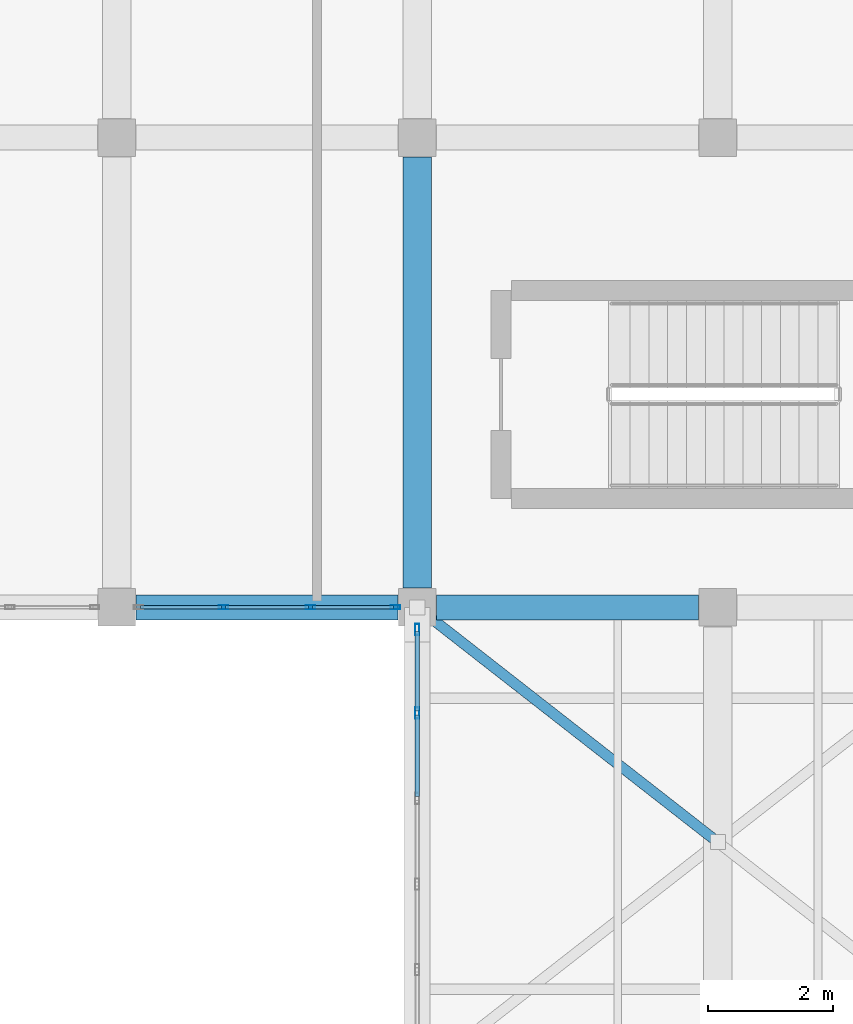
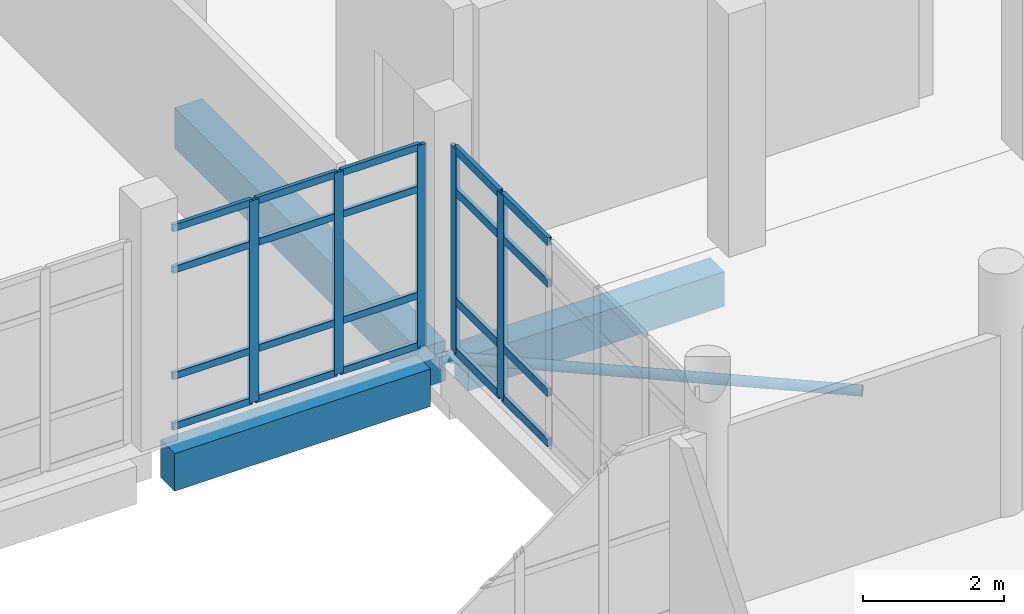
# One storey, part 90 of 164: 26 members, 3 beams, 2 elements without a shape of their own.
"""IFC4 building model written with IfcOpenShell, lengths in metres."""

from ifc_helpers import new_model, si_unit, direction, frame, origin, origin_2d, place, context, subcontext, project, spatial, rectangle, hollow_rectangle, hollow_circle, extrude, material, layer, layer_set, material_profile, profile_set, type_object, element, aggregate, save


model = new_model("IFC4")

# Units and contexts
model_context = context("Model", 3, precision=1e-05, world=origin(), true_north=direction((0.0, 1.0)))
body_context = subcontext(model_context, "Body", "Model", "MODEL_VIEW")
ifc_project = project(units=[si_unit("LENGTHUNIT", "METRE"), si_unit("AREAUNIT", "SQUARE_METRE"), si_unit("VOLUMEUNIT", "CUBIC_METRE"), si_unit("PLANEANGLEUNIT", "RADIAN"), si_unit("MASSUNIT", "GRAM", prefix="KILO")], contexts=[model_context])

# Site, building, storey
site_placement = place(None, origin())
site = spatial("IfcSite", under=ifc_project, at=site_placement, CompositionType="ELEMENT")
building_placement = place(site_placement, origin())
building = spatial("IfcBuilding", under=site, at=building_placement, Name="Mawjan Specialist Oncology Clinic", CompositionType="ELEMENT")
storey_placement = place(building_placement, frame((0.0, 0.0, 5.0)))
storey = spatial("IfcBuildingStorey", under=building, at=storey_placement, Name="L01", CompositionType="ELEMENT", Elevation=5.0)

# Beams
ifc_material_1 = material(Name="Concrete C40/50", Category="concrete")
ifc_material_profile_1 = material_profile(ifc_material_1, rectangle(XDim=0.39990234375, YDim=0.60009765625, at=origin_2d()), Name="RC BM 400x600", Category="concrete")
ifc_profile_set_1 = profile_set([ifc_material_profile_1], Name="Concrete C40/50")
beam_type_1 = type_object("IfcBeamType", Name="BM-400x600", PredefinedType="BEAM", material=ifc_profile_set_1)
beam_1_placement = place(storey_placement, frame((84.31005859375, 83.300048828125, -0.60009765625), z_axis=(1.0, 0.0, 0.0), x_axis=(0.0, 1.0, 0.0)))
element("IfcBeam", 1, at=beam_1_placement, inside=storey, type_object=beam_type_1, Name="L01 Collector Beam BM-L01-0348", PredefinedType="BEAM", context=body_context, shape_type="SweptSolid", body=[
    extrude(rectangle(XDim=0.39990234375, YDim=0.60009765625, at=origin_2d()), origin(), (0.0, 0.0, 1.0), 4.179931640625),
])
ifc_material_2 = material(Name="Concrete C40/50", Category="concrete")
ifc_material_profile_2 = material_profile(ifc_material_2, rectangle(XDim=0.449951171875, YDim=0.699951171875, at=origin_2d()), Name="RC BM 450x700", Category="concrete")
ifc_profile_set_2 = profile_set([ifc_material_profile_2], Name="Concrete C40/50")
beam_type_2 = type_object("IfcBeamType", Name="BM-450x700", PredefinedType="BEAM", material=ifc_profile_set_2)
beam_2_placement = place(storey_placement, frame((84.0, 83.610107421875, -0.64990234375), z_axis=(0.0, 1.0, 0.0), x_axis=(-1.0, 0.0, 0.0)))
element("IfcBeam", 2, at=beam_2_placement, inside=storey, type_object=beam_type_2, Name="L01 Collector Beam BM-L01-0523", PredefinedType="BEAM", context=body_context, shape_type="SweptSolid", body=[
    extrude(rectangle(XDim=0.449951171875, YDim=0.699951171875, at=origin_2d()), origin(), (0.0, 0.0, 1.0), 6.8798828125),
])

# Member
ifc_material_3 = material(Name="Structural steel S355", Category="steel")
ifc_material_profile_3 = material_profile(ifc_material_3, hollow_circle(Radius=0.084228515625, WallThickness=0.008056640625, at=origin_2d()), Name="CHS 168.3x8", Category="steel")
ifc_profile_set_3 = profile_set([ifc_material_profile_3], Name="Structural steel S355")
member_type_1 = type_object("IfcMemberType", Name="BR-168", PredefinedType="BRACE", material=ifc_profile_set_3)
member_1_placement = place(storey_placement, frame((88.72900390625, 79.60546875, -0.320068359375), z_axis=(-0.788020673055, 0.6156487788, 0.0), x_axis=(-0.6156487788, -0.788020673055, 0.0)))
element("IfcMember", 3, at=member_1_placement, inside=storey, type_object=member_type_1, Name="Skybridge Lateral Diagonal Brace L01-2B", PredefinedType="BRACE", context=body_context, shape_type="SweptSolid", body=[
    extrude(hollow_circle(Radius=0.084228515625, WallThickness=0.008056640625, at=origin_2d()), origin(), (0.0, 0.0, 1.0), 6.001220703125),
])

# Curtain wall, members
ifc_material_4 = material(Name="Unitised spectrally selective aluminium curtain wall", Category="aluminium")
ifc_layer_1 = layer(ifc_material_4, 0.179931640625, Name="Unitised spectrally selective aluminium curtain wall", Category="aluminium")
ifc_layer_set_1 = layer_set([ifc_layer_1], Name="Unitised spectrally selective aluminium curtain wall")
curtain_wall_type_1 = type_object("IfcCurtainWallType", Name="CW-58", PredefinedType="NOTDEFINED", material=ifc_layer_set_1)
curtain_wall_1_placement = place(storey_placement, origin())
curtain_wall_1 = element("IfcCurtainWall", 4, at=curtain_wall_1_placement, inside=storey, type_object=curtain_wall_type_1, Name="L01 Unitised Curtain Wall CW-L01-109", PredefinedType="NOTDEFINED")
ifc_material_5 = material(Name="Thermally broken aluminium 6063-T6", Category="aluminium")
ifc_material_profile_4 = material_profile(ifc_material_5, hollow_rectangle(XDim=0.06005859375, YDim=0.14990234375, WallThickness=0.00390625, at=origin_2d()), Name="ALU MULLION 150x60x4", Category="aluminium")
ifc_profile_set_4 = profile_set([ifc_material_profile_4], Name="Thermally broken aluminium 6063-T6")
member_type_2 = type_object("IfcMemberType", Name="CW-M150", PredefinedType="MULLION", material=ifc_profile_set_4)
member_2_placement = place(storey_placement, frame((83.64990234375, 83.300048828125, 0.0), z_axis=(0.0, 0.0, 1.0), x_axis=(0.0, -1.0, 0.0)))
member_2 = element("IfcMember", 5, at=member_2_placement, type_object=member_type_2, Name="CW-58 mullion 1", PredefinedType="MULLION", context=body_context, shape_type="SweptSolid", body=[
    extrude(hollow_rectangle(XDim=0.06005859375, YDim=0.14990234375, WallThickness=0.00390625, at=origin_2d()), origin(), (0.0, 0.0, 1.0), 3.485107421875),
])
member_3_placement = place(storey_placement, frame((82.293212890625, 83.300048828125, 0.0), z_axis=(0.0, 0.0, 1.0), x_axis=(0.0, -1.0, 0.0)))
member_3 = element("IfcMember", 6, at=member_3_placement, type_object=member_type_2, Name="CW-58 mullion 2", PredefinedType="MULLION", context=body_context, shape_type="SweptSolid", body=[
    extrude(hollow_rectangle(XDim=0.06005859375, YDim=0.14990234375, WallThickness=0.00390625, at=origin_2d()), origin(), (0.0, 0.0, 1.0), 3.485107421875),
])
member_4_placement = place(storey_placement, frame((80.90673828125, 83.300048828125, 0.0), z_axis=(0.0, 0.0, 1.0), x_axis=(0.0, -1.0, 0.0)))
member_4 = element("IfcMember", 7, at=member_4_placement, type_object=member_type_2, Name="CW-58 mullion 3", PredefinedType="MULLION", context=body_context, shape_type="SweptSolid", body=[
    extrude(hollow_rectangle(XDim=0.06005859375, YDim=0.14990234375, WallThickness=0.00390625, at=origin_2d()), origin(), (0.0, 0.0, 1.0), 3.485107421875),
])

ifc_material_6 = material(Name="Unitised spectrally selective aluminium curtain wall", Category="aluminium")
ifc_layer_2 = layer(ifc_material_6, 0.179931640625, Name="Unitised spectrally selective aluminium curtain wall", Category="aluminium")
ifc_layer_set_2 = layer_set([ifc_layer_2], Name="Unitised spectrally selective aluminium curtain wall")
curtain_wall_type_2 = type_object("IfcCurtainWallType", Name="CW-57", PredefinedType="NOTDEFINED", material=ifc_layer_set_2)
curtain_wall_2_placement = place(storey_placement, origin())
curtain_wall_2 = element("IfcCurtainWall", 8, at=curtain_wall_2_placement, inside=storey, type_object=curtain_wall_type_2, Name="L01 Unitised Curtain Wall CW-L01-108", PredefinedType="NOTDEFINED")
ifc_material_7 = material(Name="Thermally broken aluminium 6063-T6", Category="aluminium")
ifc_material_profile_5 = material_profile(ifc_material_7, hollow_rectangle(XDim=0.06494140625, YDim=0.179931640625, WallThickness=0.00390625, at=origin_2d()), Name="ALU MULLION 180x65x4", Category="aluminium")
ifc_profile_set_5 = profile_set([ifc_material_profile_5], Name="Thermally broken aluminium 6063-T6")
member_type_3 = type_object("IfcMemberType", Name="CW-M180", PredefinedType="MULLION", material=ifc_profile_set_5)
member_5_placement = place(storey_placement, frame((84.0, 81.613037109375, 0.0), z_axis=(0.0, 0.0, 1.0), x_axis=(-1.0, 0.0, 0.0)))
member_5 = element("IfcMember", 9, at=member_5_placement, type_object=member_type_3, Name="CW-57 mullion 5", PredefinedType="MULLION", context=body_context, shape_type="SweptSolid", body=[
    extrude(hollow_rectangle(XDim=0.06494140625, YDim=0.179931640625, WallThickness=0.00390625, at=origin_2d()), origin(), (0.0, 0.0, 1.0), 3.534912109375),
])
member_6_placement = place(storey_placement, frame((84.0, 82.947509765625, 0.0), z_axis=(0.0, 0.0, 1.0), x_axis=(-1.0, 0.0, 0.0)))
member_6 = element("IfcMember", 10, at=member_6_placement, type_object=member_type_3, Name="CW-57 mullion 6", PredefinedType="MULLION", context=body_context, shape_type="SweptSolid", body=[
    extrude(hollow_rectangle(XDim=0.06494140625, YDim=0.179931640625, WallThickness=0.00390625, at=origin_2d()), origin(), (0.0, 0.0, 1.0), 3.534912109375),
])

# Member
ifc_material_8 = material(Name="Thermally broken aluminium 6063-T6", Category="aluminium")
ifc_material_profile_6 = material_profile(ifc_material_8, hollow_rectangle(XDim=0.06005859375, YDim=0.1201171875, WallThickness=0.00390625, at=origin_2d()), Name="ALU TRANSOM 120x60x4", Category="aluminium")
ifc_profile_set_6 = profile_set([ifc_material_profile_6], Name="Thermally broken aluminium 6063-T6")
member_type_4 = type_object("IfcMemberType", Name="CW-T120", PredefinedType="USERDEFINED", material=ifc_profile_set_6)
member_7_placement = place(storey_placement, frame((83.6201171875, 83.300048828125, 0.030029296875), z_axis=(-1.0, 0.0, 0.0), x_axis=(0.0, -1.0, 0.0)))
member_7 = element("IfcMember", 11, at=member_7_placement, type_object=member_type_4, Name="CW-58 transom 1.1", ObjectType="TRANSOM", PredefinedType="USERDEFINED", context=body_context, shape_type="SweptSolid", body=[
    extrude(hollow_rectangle(XDim=0.06005859375, YDim=0.1201171875, WallThickness=0.00390625, at=origin_2d()), origin(), (0.0, 0.0, 1.0), 1.296875),
])

member_8_placement = place(storey_placement, frame((83.6201171875, 83.300048828125, 0.89990234375), z_axis=(-1.0, 0.0, 0.0), x_axis=(0.0, -1.0, 0.0)))
member_8 = element("IfcMember", 12, at=member_8_placement, type_object=member_type_4, Name="CW-58 transom 1.2", ObjectType="TRANSOM", PredefinedType="USERDEFINED", context=body_context, shape_type="SweptSolid", body=[
    extrude(hollow_rectangle(XDim=0.06005859375, YDim=0.1201171875, WallThickness=0.00390625, at=origin_2d()), origin(), (0.0, 0.0, 1.0), 1.296875),
])

member_9_placement = place(storey_placement, frame((83.6201171875, 83.300048828125, 2.735107421875), z_axis=(-1.0, 0.0, 0.0), x_axis=(0.0, -1.0, 0.0)))
member_9 = element("IfcMember", 13, at=member_9_placement, type_object=member_type_4, Name="CW-58 transom 1.3", ObjectType="TRANSOM", PredefinedType="USERDEFINED", context=body_context, shape_type="SweptSolid", body=[
    extrude(hollow_rectangle(XDim=0.06005859375, YDim=0.1201171875, WallThickness=0.00390625, at=origin_2d()), origin(), (0.0, 0.0, 1.0), 1.296875),
])

member_10_placement = place(storey_placement, frame((83.6201171875, 83.300048828125, 3.455078125), z_axis=(-1.0, 0.0, 0.0), x_axis=(0.0, -1.0, 0.0)))
member_10 = element("IfcMember", 14, at=member_10_placement, type_object=member_type_4, Name="CW-58 transom 1.4", ObjectType="TRANSOM", PredefinedType="USERDEFINED", context=body_context, shape_type="SweptSolid", body=[
    extrude(hollow_rectangle(XDim=0.06005859375, YDim=0.1201171875, WallThickness=0.00390625, at=origin_2d()), origin(), (0.0, 0.0, 1.0), 1.296875),
])

member_11_placement = place(storey_placement, frame((82.263427734375, 83.300048828125, 0.030029296875), z_axis=(-1.0, 0.0, 0.0), x_axis=(0.0, -1.0, 0.0)))
member_11 = element("IfcMember", 15, at=member_11_placement, type_object=member_type_4, Name="CW-58 transom 2.1", ObjectType="TRANSOM", PredefinedType="USERDEFINED", context=body_context, shape_type="SweptSolid", body=[
    extrude(hollow_rectangle(XDim=0.06005859375, YDim=0.1201171875, WallThickness=0.00390625, at=origin_2d()), origin(), (0.0, 0.0, 1.0), 1.32666015625),
])

member_12_placement = place(storey_placement, frame((82.263427734375, 83.300048828125, 0.89990234375), z_axis=(-1.0, 0.0, 0.0), x_axis=(0.0, -1.0, 0.0)))
member_12 = element("IfcMember", 16, at=member_12_placement, type_object=member_type_4, Name="CW-58 transom 2.2", ObjectType="TRANSOM", PredefinedType="USERDEFINED", context=body_context, shape_type="SweptSolid", body=[
    extrude(hollow_rectangle(XDim=0.06005859375, YDim=0.1201171875, WallThickness=0.00390625, at=origin_2d()), origin(), (0.0, 0.0, 1.0), 1.32666015625),
])

member_13_placement = place(storey_placement, frame((82.263427734375, 83.300048828125, 2.735107421875), z_axis=(-1.0, 0.0, 0.0), x_axis=(0.0, -1.0, 0.0)))
member_13 = element("IfcMember", 17, at=member_13_placement, type_object=member_type_4, Name="CW-58 transom 2.3", ObjectType="TRANSOM", PredefinedType="USERDEFINED", context=body_context, shape_type="SweptSolid", body=[
    extrude(hollow_rectangle(XDim=0.06005859375, YDim=0.1201171875, WallThickness=0.00390625, at=origin_2d()), origin(), (0.0, 0.0, 1.0), 1.32666015625),
])

member_14_placement = place(storey_placement, frame((82.263427734375, 83.300048828125, 3.455078125), z_axis=(-1.0, 0.0, 0.0), x_axis=(0.0, -1.0, 0.0)))
member_14 = element("IfcMember", 18, at=member_14_placement, type_object=member_type_4, Name="CW-58 transom 2.4", ObjectType="TRANSOM", PredefinedType="USERDEFINED", context=body_context, shape_type="SweptSolid", body=[
    extrude(hollow_rectangle(XDim=0.06005859375, YDim=0.1201171875, WallThickness=0.00390625, at=origin_2d()), origin(), (0.0, 0.0, 1.0), 1.32666015625),
])

member_15_placement = place(storey_placement, frame((80.876708984375, 83.300048828125, 0.030029296875), z_axis=(-1.0, 0.0, 0.0), x_axis=(0.0, -1.0, 0.0)))
member_15 = element("IfcMember", 19, at=member_15_placement, type_object=member_type_4, Name="CW-58 transom 3.1", ObjectType="TRANSOM", PredefinedType="USERDEFINED", context=body_context, shape_type="SweptSolid", body=[
    extrude(hollow_rectangle(XDim=0.06005859375, YDim=0.1201171875, WallThickness=0.00390625, at=origin_2d()), origin(), (0.0, 0.0, 1.0), 1.296630859375),
])

member_16_placement = place(storey_placement, frame((80.876708984375, 83.300048828125, 0.89990234375), z_axis=(-1.0, 0.0, 0.0), x_axis=(0.0, -1.0, 0.0)))
member_16 = element("IfcMember", 20, at=member_16_placement, type_object=member_type_4, Name="CW-58 transom 3.2", ObjectType="TRANSOM", PredefinedType="USERDEFINED", context=body_context, shape_type="SweptSolid", body=[
    extrude(hollow_rectangle(XDim=0.06005859375, YDim=0.1201171875, WallThickness=0.00390625, at=origin_2d()), origin(), (0.0, 0.0, 1.0), 1.296630859375),
])

member_17_placement = place(storey_placement, frame((80.876708984375, 83.300048828125, 2.735107421875), z_axis=(-1.0, 0.0, 0.0), x_axis=(0.0, -1.0, 0.0)))
member_17 = element("IfcMember", 21, at=member_17_placement, type_object=member_type_4, Name="CW-58 transom 3.3", ObjectType="TRANSOM", PredefinedType="USERDEFINED", context=body_context, shape_type="SweptSolid", body=[
    extrude(hollow_rectangle(XDim=0.06005859375, YDim=0.1201171875, WallThickness=0.00390625, at=origin_2d()), origin(), (0.0, 0.0, 1.0), 1.296630859375),
])

member_18_placement = place(storey_placement, frame((80.876708984375, 83.300048828125, 3.455078125), z_axis=(-1.0, 0.0, 0.0), x_axis=(0.0, -1.0, 0.0)))
member_18 = element("IfcMember", 22, at=member_18_placement, type_object=member_type_4, Name="CW-58 transom 3.4", ObjectType="TRANSOM", PredefinedType="USERDEFINED", context=body_context, shape_type="SweptSolid", body=[
    extrude(hollow_rectangle(XDim=0.06005859375, YDim=0.1201171875, WallThickness=0.00390625, at=origin_2d()), origin(), (0.0, 0.0, 1.0), 1.296630859375),
])

aggregate(curtain_wall_1, [member_2, member_3, member_4, member_7, member_8, member_9, member_10, member_11, member_12, member_13, member_14, member_15, member_16, member_17, member_18])

ifc_material_9 = material(Name="Thermally broken aluminium 6063-T6", Category="aluminium")
ifc_material_profile_7 = material_profile(ifc_material_9, hollow_rectangle(XDim=0.06494140625, YDim=0.139892578125, WallThickness=0.00390625, at=origin_2d()), Name="ALU TRANSOM 140x65x4", Category="aluminium")
ifc_profile_set_7 = profile_set([ifc_material_profile_7], Name="Thermally broken aluminium 6063-T6")
member_type_5 = type_object("IfcMemberType", Name="CW-T140", PredefinedType="USERDEFINED", material=ifc_profile_set_7)
member_19_placement = place(storey_placement, frame((84.0, 80.278564453125, 0.032470703125), z_axis=(0.0, 1.0, 0.0), x_axis=(-1.0, 0.0, 0.0)))
member_19 = element("IfcMember", 23, at=member_19_placement, type_object=member_type_5, Name="CW-57 transom 4.1", ObjectType="TRANSOM", PredefinedType="USERDEFINED", context=body_context, shape_type="SweptSolid", body=[
    extrude(hollow_rectangle(XDim=0.06494140625, YDim=0.139892578125, WallThickness=0.00390625, at=origin_2d()), origin(), (0.0, 0.0, 1.0), 1.302001953125),
])

member_20_placement = place(storey_placement, frame((84.0, 80.278564453125, 0.89990234375), z_axis=(0.0, 1.0, 0.0), x_axis=(-1.0, 0.0, 0.0)))
member_20 = element("IfcMember", 24, at=member_20_placement, type_object=member_type_5, Name="CW-57 transom 4.2", ObjectType="TRANSOM", PredefinedType="USERDEFINED", context=body_context, shape_type="SweptSolid", body=[
    extrude(hollow_rectangle(XDim=0.06494140625, YDim=0.139892578125, WallThickness=0.00390625, at=origin_2d()), origin(), (0.0, 0.0, 1.0), 1.302001953125),
])

member_21_placement = place(storey_placement, frame((84.0, 80.278564453125, 2.784912109375), z_axis=(0.0, 1.0, 0.0), x_axis=(-1.0, 0.0, 0.0)))
member_21 = element("IfcMember", 25, at=member_21_placement, type_object=member_type_5, Name="CW-57 transom 4.3", ObjectType="TRANSOM", PredefinedType="USERDEFINED", context=body_context, shape_type="SweptSolid", body=[
    extrude(hollow_rectangle(XDim=0.06494140625, YDim=0.139892578125, WallThickness=0.00390625, at=origin_2d()), origin(), (0.0, 0.0, 1.0), 1.302001953125),
])

member_22_placement = place(storey_placement, frame((84.0, 80.278564453125, 3.50244140625), z_axis=(0.0, 1.0, 0.0), x_axis=(-1.0, 0.0, 0.0)))
member_22 = element("IfcMember", 26, at=member_22_placement, type_object=member_type_5, Name="CW-57 transom 4.4", ObjectType="TRANSOM", PredefinedType="USERDEFINED", context=body_context, shape_type="SweptSolid", body=[
    extrude(hollow_rectangle(XDim=0.06494140625, YDim=0.139892578125, WallThickness=0.00390625, at=origin_2d()), origin(), (0.0, 0.0, 1.0), 1.302001953125),
])

member_23_placement = place(storey_placement, frame((84.0, 81.6455078125, 0.032470703125), z_axis=(0.0, 1.0, 0.0), x_axis=(-1.0, 0.0, 0.0)))
member_23 = element("IfcMember", 27, at=member_23_placement, type_object=member_type_5, Name="CW-57 transom 5.1", ObjectType="TRANSOM", PredefinedType="USERDEFINED", context=body_context, shape_type="SweptSolid", body=[
    extrude(hollow_rectangle(XDim=0.06494140625, YDim=0.139892578125, WallThickness=0.00390625, at=origin_2d()), origin(), (0.0, 0.0, 1.0), 1.26953125),
])

member_24_placement = place(storey_placement, frame((84.0, 81.6455078125, 0.89990234375), z_axis=(0.0, 1.0, 0.0), x_axis=(-1.0, 0.0, 0.0)))
member_24 = element("IfcMember", 28, at=member_24_placement, type_object=member_type_5, Name="CW-57 transom 5.2", ObjectType="TRANSOM", PredefinedType="USERDEFINED", context=body_context, shape_type="SweptSolid", body=[
    extrude(hollow_rectangle(XDim=0.06494140625, YDim=0.139892578125, WallThickness=0.00390625, at=origin_2d()), origin(), (0.0, 0.0, 1.0), 1.26953125),
])

member_25_placement = place(storey_placement, frame((84.0, 81.6455078125, 2.784912109375), z_axis=(0.0, 1.0, 0.0), x_axis=(-1.0, 0.0, 0.0)))
member_25 = element("IfcMember", 29, at=member_25_placement, type_object=member_type_5, Name="CW-57 transom 5.3", ObjectType="TRANSOM", PredefinedType="USERDEFINED", context=body_context, shape_type="SweptSolid", body=[
    extrude(hollow_rectangle(XDim=0.06494140625, YDim=0.139892578125, WallThickness=0.00390625, at=origin_2d()), origin(), (0.0, 0.0, 1.0), 1.26953125),
])

member_26_placement = place(storey_placement, frame((84.0, 81.6455078125, 3.50244140625), z_axis=(0.0, 1.0, 0.0), x_axis=(-1.0, 0.0, 0.0)))
member_26 = element("IfcMember", 30, at=member_26_placement, type_object=member_type_5, Name="CW-57 transom 5.4", ObjectType="TRANSOM", PredefinedType="USERDEFINED", context=body_context, shape_type="SweptSolid", body=[
    extrude(hollow_rectangle(XDim=0.06494140625, YDim=0.139892578125, WallThickness=0.00390625, at=origin_2d()), origin(), (0.0, 0.0, 1.0), 1.26953125),
])

aggregate(curtain_wall_2, [member_5, member_6, member_19, member_20, member_21, member_22, member_23, member_24, member_25, member_26])

# Beam
ifc_material_10 = material(Name="Concrete C45/55", Category="concrete")
ifc_material_profile_8 = material_profile(ifc_material_10, rectangle(XDim=0.39990234375, YDim=0.64990234375, at=origin_2d()), Name="RC BM 400x650", Category="concrete")
ifc_profile_set_8 = profile_set([ifc_material_profile_8], Name="Concrete C45/55")
beam_type_3 = type_object("IfcBeamType", Name="SP-400x650", PredefinedType="SPANDREL", material=ifc_profile_set_8)
beam_3_placement = place(storey_placement, frame((79.510009765625, 83.300048828125, -0.625), z_axis=(1.0, 0.0, 0.0), x_axis=(0.0, 1.0, 0.0)))
element("IfcBeam", 31, at=beam_3_placement, inside=storey, type_object=beam_type_3, Name="L01 Spandrel Beam BM-L01-0347", PredefinedType="SPANDREL", context=body_context, shape_type="SweptSolid", body=[
    extrude(rectangle(XDim=0.39990234375, YDim=0.64990234375, at=origin_2d()), origin(), (0.0, 0.0, 1.0), 4.179931640625),
])

save(model, "model.ifc")
